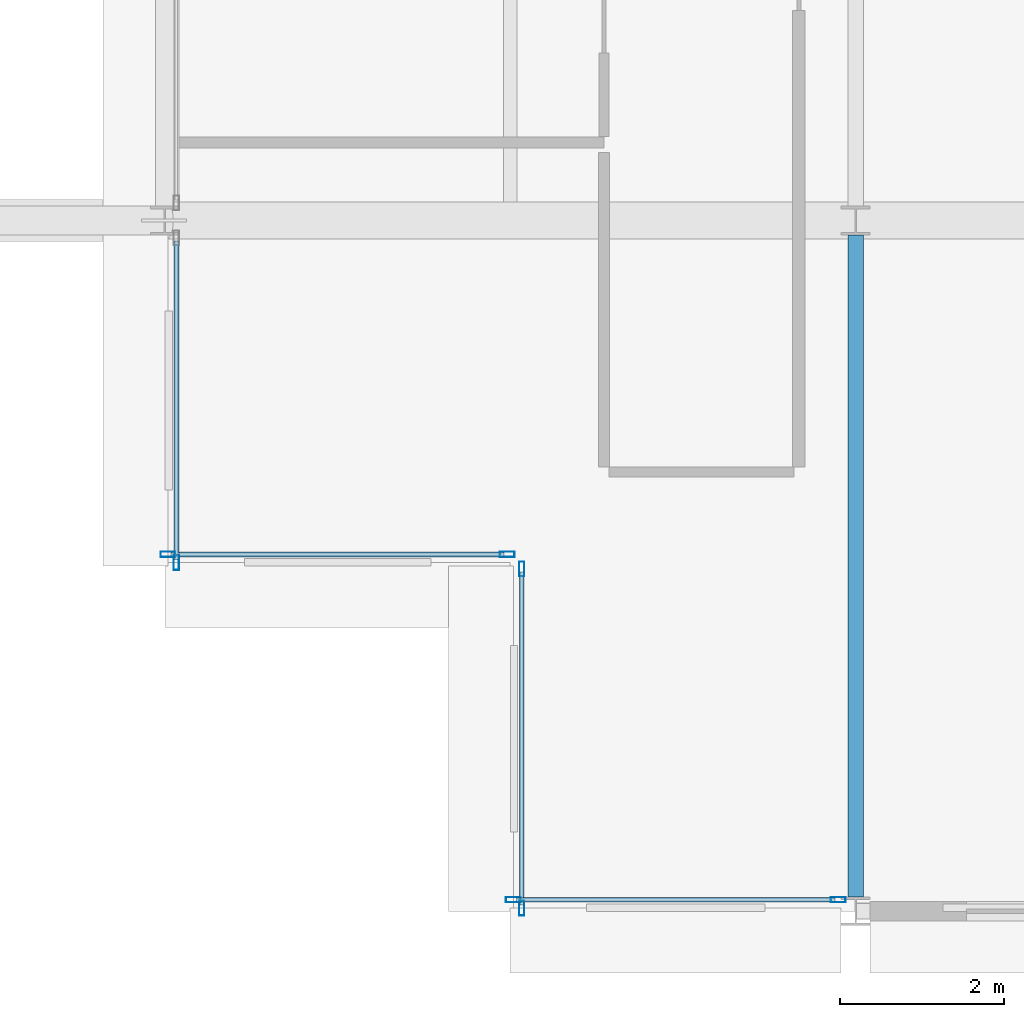
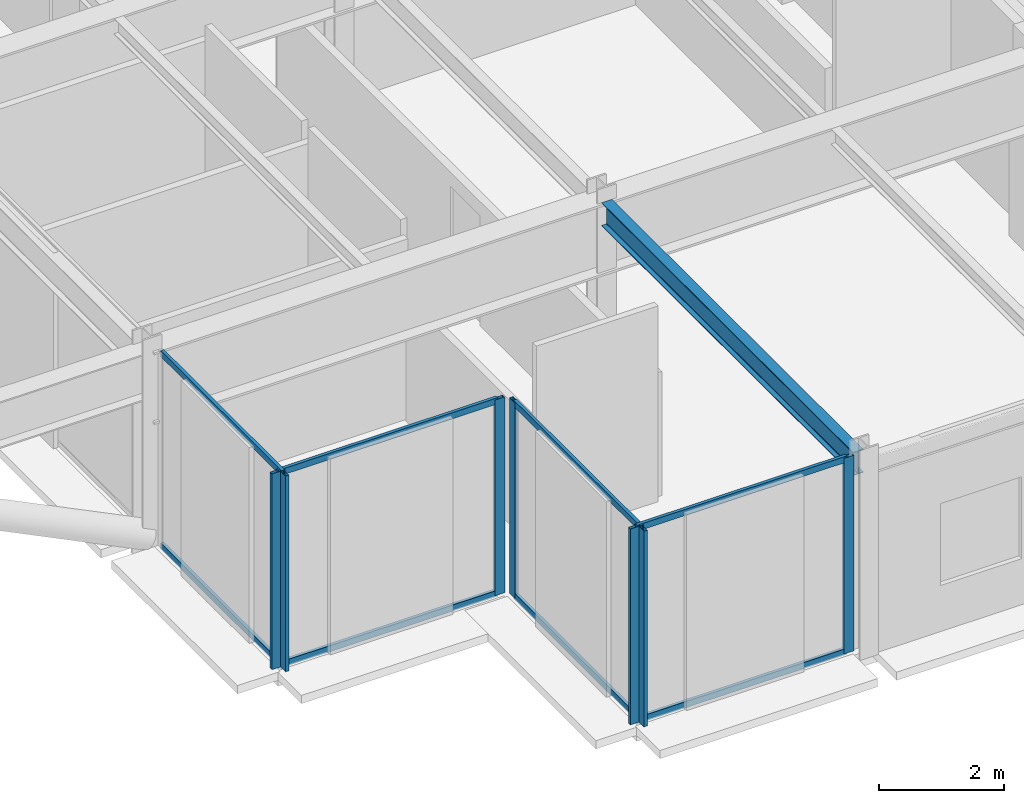
# One storey, part 3 of 30: 15 members, 1 beam, 4 elements without a shape of their own.
"""IFC4 building model written with IfcOpenShell, lengths in metres."""

from ifc_helpers import new_model, si_unit, direction, frame, origin, origin_2d, place, context, subcontext, project, spatial, hollow_rectangle, i_section, extrude, material, layer, layer_set, material_profile, profile_set, type_object, element, aggregate, save


model = new_model("IFC4")

# Units and contexts
model_context = context("Model", 3, precision=1e-05, world=origin(), true_north=direction((0.0, 1.0)))
body_context = subcontext(model_context, "Body", "Model", "MODEL_VIEW")
ifc_project = project(units=[si_unit("LENGTHUNIT", "METRE"), si_unit("AREAUNIT", "SQUARE_METRE"), si_unit("VOLUMEUNIT", "CUBIC_METRE"), si_unit("PLANEANGLEUNIT", "RADIAN"), si_unit("MASSUNIT", "GRAM", prefix="KILO")], contexts=[model_context])

# Site, building, storey
site_placement = place(None, origin())
site = spatial("IfcSite", under=ifc_project, at=site_placement, CompositionType="ELEMENT")
building_placement = place(site_placement, origin())
building = spatial("IfcBuilding", under=site, at=building_placement, Name="Nerrivon Quay Data Exchange", CompositionType="ELEMENT")
storey_placement = place(building_placement, frame((0.0, 0.0, 167.300048828125)))
storey = spatial("IfcBuildingStorey", under=building, at=storey_placement, Name="L39", CompositionType="ELEMENT", Elevation=167.300048828125)

# Beam
ifc_material_1 = material(Name="Steel Grade 350", Category="steel")
ifc_material_profile_1 = material_profile(ifc_material_1, i_section(OverallWidth=0.18994140625, OverallDepth=0.4541015625, WebThickness=0.008544921875, FlangeThickness=0.0126953125, FilletRadius=0.011474609375, at=origin_2d()), Name="460UB67.1")
ifc_profile_set_1 = profile_set([ifc_material_profile_1], Name="Steel Grade 350")
beam_type = type_object("IfcBeamType", Name="BM-G6-460UB67", PredefinedType="BEAM", material=ifc_profile_set_1)
beam_placement = place(storey_placement, frame((8.39990234375, 0.175048828125, 3.597900390625), z_axis=(0.0, 1.0, 0.0), x_axis=(-1.0, 0.0, 0.0)))
element("IfcBeam", 1, at=beam_placement, inside=storey, type_object=beam_type, Name="L39 NS Girder X=8.4 (0.0..8.4)", PredefinedType="BEAM", context=body_context, shape_type="SweptSolid", body=[
    extrude(i_section(OverallWidth=0.18994140625, OverallDepth=0.4541015625, WebThickness=0.008544921875, FlangeThickness=0.0126953125, FilletRadius=0.011474609375, at=origin_2d()), origin(), (0.0, 0.0, 1.0), 8.050048828125),
])

# Curtain wall, members
ifc_material_2 = material(Name="Anodised aluminium 6063-T6", Category="aluminium")
ifc_layer = layer(ifc_material_2, 0.195068359375)
ifc_layer_set = layer_set([ifc_layer], Name="Anodised aluminium 6063-T6")
curtain_wall_type = type_object("IfcCurtainWallType", Name="CW-SYS-06", PredefinedType="NOTDEFINED", material=ifc_layer_set)
curtain_wall_1_placement = place(storey_placement, origin())
curtain_wall_1 = element("IfcCurtainWall", 2, at=curtain_wall_1_placement, inside=storey, type_object=curtain_wall_type, Name="L39 Unitised Curtain Wall 8", PredefinedType="NOTDEFINED")
ifc_material_profile_2 = material_profile(ifc_material_2, hollow_rectangle(XDim=0.06494140625, YDim=0.179931640625, WallThickness=0.00341796875, at=origin_2d()), Name="ALU-MULL-180x65")
ifc_profile_set_2 = profile_set([ifc_material_profile_2], Name="Anodised aluminium 6063-T6")
member_type_1 = type_object("IfcMemberType", Name="CWM-180x65", PredefinedType="MULLION", material=ifc_profile_set_2)
member_1_placement = place(storey_placement, frame((8.1875, 0.139892578125, 0.0), z_axis=(0.0, 0.0, 1.0), x_axis=(0.0, -1.0, 0.0)))
member_1 = element("IfcMember", 3, at=member_1_placement, type_object=member_type_1, Name="CW06 mullion 1", PredefinedType="MULLION", context=body_context, shape_type="SweptSolid", body=[
    extrude(hollow_rectangle(XDim=0.06494140625, YDim=0.179931640625, WallThickness=0.00341796875, at=origin_2d()), origin(), (0.0, 0.0, 1.0), 3.824951171875),
])
member_2_placement = place(storey_placement, frame((4.237548828125, 0.139892578125, 0.0), z_axis=(0.0, 0.0, 1.0), x_axis=(0.0, -1.0, 0.0)))
member_2 = element("IfcMember", 4, at=member_2_placement, type_object=member_type_1, Name="CW06 mullion 2", PredefinedType="MULLION", context=body_context, shape_type="SweptSolid", body=[
    extrude(hollow_rectangle(XDim=0.06494140625, YDim=0.179931640625, WallThickness=0.00341796875, at=origin_2d()), origin(), (0.0, 0.0, 1.0), 3.824951171875),
])

curtain_wall_2_placement = place(storey_placement, origin())
curtain_wall_2 = element("IfcCurtainWall", 5, at=curtain_wall_2_placement, inside=storey, type_object=curtain_wall_type, Name="L39 Unitised Curtain Wall 9", PredefinedType="NOTDEFINED")
member_3_placement = place(storey_placement, frame((4.340087890625, 0.03759765625, 0.0), z_axis=(0.0, 0.0, 1.0), x_axis=(-1.0, 0.0, 0.0)))
member_3 = element("IfcMember", 6, at=member_3_placement, type_object=member_type_1, Name="CW06 mullion 1", PredefinedType="MULLION", context=body_context, shape_type="SweptSolid", body=[
    extrude(hollow_rectangle(XDim=0.06494140625, YDim=0.179931640625, WallThickness=0.00341796875, at=origin_2d()), origin(), (0.0, 0.0, 1.0), 3.824951171875),
])
member_4_placement = place(storey_placement, frame((4.340087890625, 4.16259765625, 0.0), z_axis=(0.0, 0.0, 1.0), x_axis=(-1.0, 0.0, 0.0)))
member_4 = element("IfcMember", 7, at=member_4_placement, type_object=member_type_1, Name="CW06 mullion 2", PredefinedType="MULLION", context=body_context, shape_type="SweptSolid", body=[
    extrude(hollow_rectangle(XDim=0.06494140625, YDim=0.179931640625, WallThickness=0.00341796875, at=origin_2d()), origin(), (0.0, 0.0, 1.0), 3.824951171875),
])

curtain_wall_3_placement = place(storey_placement, origin())
curtain_wall_3 = element("IfcCurtainWall", 8, at=curtain_wall_3_placement, inside=storey, type_object=curtain_wall_type, Name="L39 Unitised Curtain Wall 10", PredefinedType="NOTDEFINED")
member_5_placement = place(storey_placement, frame((4.16259765625, 4.340087890625, 0.0), z_axis=(0.0, 0.0, 1.0), x_axis=(0.0, -1.0, 0.0)))
member_5 = element("IfcMember", 9, at=member_5_placement, type_object=member_type_1, Name="CW06 mullion 1", PredefinedType="MULLION", context=body_context, shape_type="SweptSolid", body=[
    extrude(hollow_rectangle(XDim=0.06494140625, YDim=0.179931640625, WallThickness=0.00341796875, at=origin_2d()), origin(), (0.0, 0.0, 1.0), 3.824951171875),
])
member_6_placement = place(storey_placement, frame((0.03759765625, 4.340087890625, 0.0), z_axis=(0.0, 0.0, 1.0), x_axis=(0.0, -1.0, 0.0)))
member_6 = element("IfcMember", 10, at=member_6_placement, type_object=member_type_1, Name="CW06 mullion 2", PredefinedType="MULLION", context=body_context, shape_type="SweptSolid", body=[
    extrude(hollow_rectangle(XDim=0.06494140625, YDim=0.179931640625, WallThickness=0.00341796875, at=origin_2d()), origin(), (0.0, 0.0, 1.0), 3.824951171875),
])

# Curtain wall, member
curtain_wall_4_placement = place(storey_placement, origin())
curtain_wall_4 = element("IfcCurtainWall", 11, at=curtain_wall_4_placement, inside=storey, type_object=curtain_wall_type, Name="L39 Unitised Curtain Wall 11", PredefinedType="NOTDEFINED")
member_7_placement = place(storey_placement, frame((0.139892578125, 4.237548828125, 0.0), z_axis=(0.0, 0.0, 1.0), x_axis=(-1.0, 0.0, 0.0)))
member_7 = element("IfcMember", 12, at=member_7_placement, type_object=member_type_1, Name="CW06 mullion 1", PredefinedType="MULLION", context=body_context, shape_type="SweptSolid", body=[
    extrude(hollow_rectangle(XDim=0.06494140625, YDim=0.179931640625, WallThickness=0.00341796875, at=origin_2d()), origin(), (0.0, 0.0, 1.0), 3.824951171875),
])

# Member
ifc_material_profile_3 = material_profile(ifc_material_2, hollow_rectangle(XDim=0.06005859375, YDim=0.1201171875, WallThickness=0.003173828125, at=origin_2d()), Name="ALU-TRAN-120x60")
ifc_profile_set_3 = profile_set([ifc_material_profile_3], Name="Anodised aluminium 6063-T6")
member_type_2 = type_object("IfcMemberType", Name="CWT-120x60", PredefinedType="USERDEFINED", material=ifc_profile_set_3)
member_8_placement = place(storey_placement, frame((8.14990234375, 0.139892578125, 0.032470703125), z_axis=(-1.0, 0.0, 0.0), x_axis=(0.0, -1.0, 0.0)))
member_8 = element("IfcMember", 13, at=member_8_placement, type_object=member_type_2, Name="CW06 transom 1.1", ObjectType="TRANSOM", PredefinedType="USERDEFINED", context=body_context, shape_type="SweptSolid", body=[
    extrude(hollow_rectangle(XDim=0.06005859375, YDim=0.1201171875, WallThickness=0.003173828125, at=origin_2d()), origin(), (0.0, 0.0, 1.0), 3.875),
])

member_9_placement = place(storey_placement, frame((8.14990234375, 0.139892578125, 3.79248046875), z_axis=(-1.0, 0.0, 0.0), x_axis=(0.0, -1.0, 0.0)))
member_9 = element("IfcMember", 14, at=member_9_placement, type_object=member_type_2, Name="CW06 transom 1.2", ObjectType="TRANSOM", PredefinedType="USERDEFINED", context=body_context, shape_type="SweptSolid", body=[
    extrude(hollow_rectangle(XDim=0.06005859375, YDim=0.1201171875, WallThickness=0.003173828125, at=origin_2d()), origin(), (0.0, 0.0, 1.0), 3.875),
])

aggregate(curtain_wall_1, [member_1, member_2, member_8, member_9])

member_10_placement = place(storey_placement, frame((4.340087890625, 0.074951171875, 0.032470703125), z_axis=(0.0, 1.0, 0.0), x_axis=(-1.0, 0.0, 0.0)))
member_10 = element("IfcMember", 15, at=member_10_placement, type_object=member_type_2, Name="CW06 transom 1.1", ObjectType="TRANSOM", PredefinedType="USERDEFINED", context=body_context, shape_type="SweptSolid", body=[
    extrude(hollow_rectangle(XDim=0.06005859375, YDim=0.1201171875, WallThickness=0.003173828125, at=origin_2d()), origin(), (0.0, 0.0, 1.0), 4.050048828125),
])

member_11_placement = place(storey_placement, frame((4.340087890625, 0.074951171875, 3.79248046875), z_axis=(0.0, 1.0, 0.0), x_axis=(-1.0, 0.0, 0.0)))
member_11 = element("IfcMember", 16, at=member_11_placement, type_object=member_type_2, Name="CW06 transom 1.2", ObjectType="TRANSOM", PredefinedType="USERDEFINED", context=body_context, shape_type="SweptSolid", body=[
    extrude(hollow_rectangle(XDim=0.06005859375, YDim=0.1201171875, WallThickness=0.003173828125, at=origin_2d()), origin(), (0.0, 0.0, 1.0), 4.050048828125),
])

aggregate(curtain_wall_2, [member_3, member_4, member_10, member_11])

member_12_placement = place(storey_placement, frame((4.125, 4.340087890625, 0.032470703125), z_axis=(-1.0, 0.0, 0.0), x_axis=(0.0, -1.0, 0.0)))
member_12 = element("IfcMember", 17, at=member_12_placement, type_object=member_type_2, Name="CW06 transom 1.1", ObjectType="TRANSOM", PredefinedType="USERDEFINED", context=body_context, shape_type="SweptSolid", body=[
    extrude(hollow_rectangle(XDim=0.06005859375, YDim=0.1201171875, WallThickness=0.003173828125, at=origin_2d()), origin(), (0.0, 0.0, 1.0), 4.050048828125),
])

member_13_placement = place(storey_placement, frame((4.125, 4.340087890625, 3.79248046875), z_axis=(-1.0, 0.0, 0.0), x_axis=(0.0, -1.0, 0.0)))
member_13 = element("IfcMember", 18, at=member_13_placement, type_object=member_type_2, Name="CW06 transom 1.2", ObjectType="TRANSOM", PredefinedType="USERDEFINED", context=body_context, shape_type="SweptSolid", body=[
    extrude(hollow_rectangle(XDim=0.06005859375, YDim=0.1201171875, WallThickness=0.003173828125, at=origin_2d()), origin(), (0.0, 0.0, 1.0), 4.050048828125),
])

aggregate(curtain_wall_3, [member_5, member_6, member_12, member_13])

member_14_placement = place(storey_placement, frame((0.139892578125, 4.27490234375, 0.032470703125), z_axis=(0.0, 1.0, 0.0), x_axis=(-1.0, 0.0, 0.0)))
member_14 = element("IfcMember", 19, at=member_14_placement, type_object=member_type_2, Name="CW06 transom 1.1", ObjectType="TRANSOM", PredefinedType="USERDEFINED", context=body_context, shape_type="SweptSolid", body=[
    extrude(hollow_rectangle(XDim=0.06005859375, YDim=0.1201171875, WallThickness=0.003173828125, at=origin_2d()), origin(), (0.0, 0.0, 1.0), 3.875),
])

member_15_placement = place(storey_placement, frame((0.139892578125, 4.27490234375, 3.79248046875), z_axis=(0.0, 1.0, 0.0), x_axis=(-1.0, 0.0, 0.0)))
member_15 = element("IfcMember", 20, at=member_15_placement, type_object=member_type_2, Name="CW06 transom 1.2", ObjectType="TRANSOM", PredefinedType="USERDEFINED", context=body_context, shape_type="SweptSolid", body=[
    extrude(hollow_rectangle(XDim=0.06005859375, YDim=0.1201171875, WallThickness=0.003173828125, at=origin_2d()), origin(), (0.0, 0.0, 1.0), 3.875),
])

aggregate(curtain_wall_4, [member_7, member_14, member_15])

save(model, "model.ifc")
